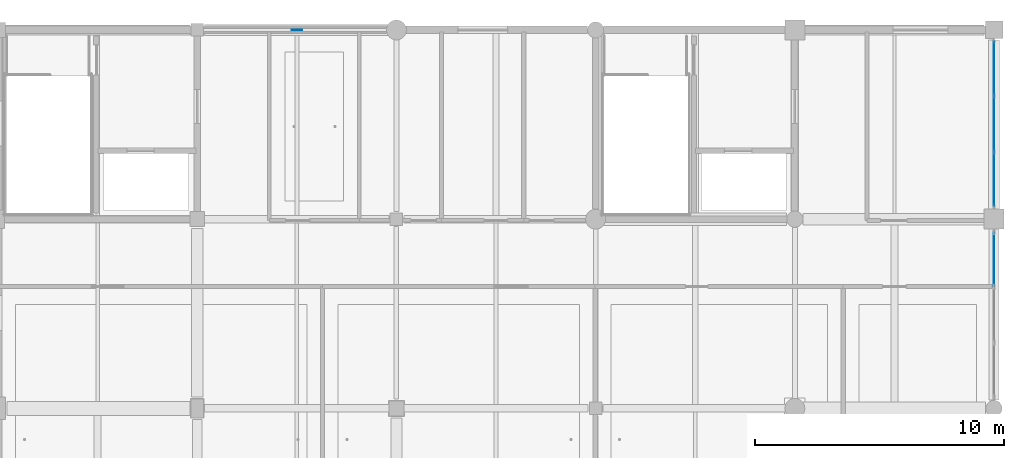
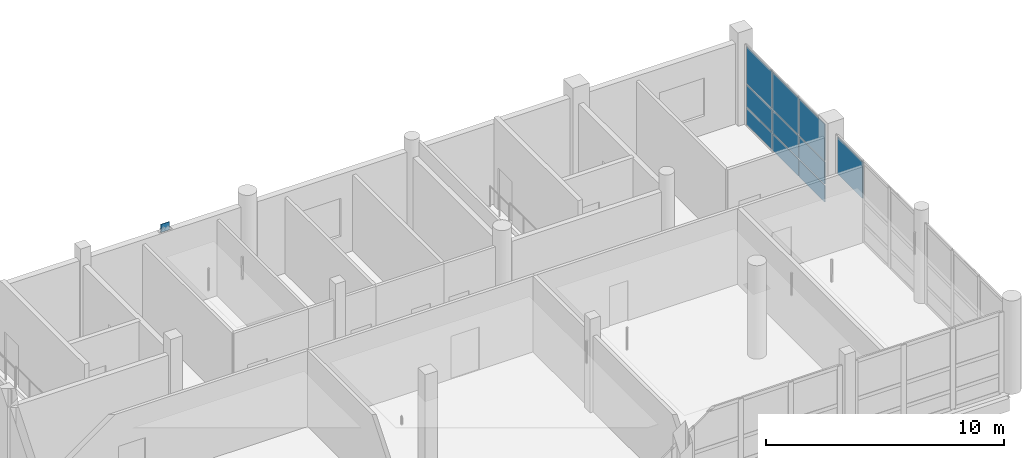
# One storey, part 11 of 18: 11 plates, 2 elements without a shape of their own.
"""IFC4 building model written with IfcOpenShell, lengths in metres."""

import ifcopenshell
import ifcopenshell.guid

model = None  # the IFC model being written
_history = None  # IfcOwnerHistory: only IFC2X3 demands one
_inside = {}  # id of a spatial element -> (the spatial element, [elements in it])
_under = {}  # id of a project, library or spatial element -> (it, [spatial elements below it])
_declared = {}  # id of a project -> (the project, [libraries it declares])
_typed = {}  # id of a type object -> (the type object, [elements of that type])
_made_of = {}  # id of a material, layer set ... -> (it, [elements and type objects made of it])


def new_model(schema):
    """Start an empty IFC model of exactly this schema.

    Asked for "IFC4X3", IfcOpenShell would pick the latest addendum, in which some entities
    have other attributes; the version numbers below select the first issue.
    IFC2X3 requires an IfcOwnerHistory on every rooted entity: one is made here for all.
    """
    global model, _history
    if schema == "IFC4X3":
        model = ifcopenshell.file(schema_version=(4, 3, 0, 0))
    else:
        model = ifcopenshell.file(schema=schema)
    _inside.clear()
    _under.clear()
    _declared.clear()
    _typed.clear()
    _made_of.clear()
    _history = None
    if model.schema == "IFC2X3":
        org = make("IfcOrganization", Name="unknown")
        user = make(
            "IfcPersonAndOrganization",
            ThePerson=make("IfcPerson", FamilyName="unknown"),
            TheOrganization=org,
        )
        app = make(
            "IfcApplication",
            ApplicationDeveloper=org,
            Version="unknown",
            ApplicationFullName="unknown",
            ApplicationIdentifier="unknown",
        )
        _history = make(
            "IfcOwnerHistory",
            OwningUser=user,
            OwningApplication=app,
            ChangeAction="ADDED",
            CreationDate=0,
        )
    return model


def make(cls, **values):
    """One entity of the class cls with the attributes given. An attribute that is None is left unset."""
    return model.create_entity(
        cls, **{name: value for name, value in values.items() if value is not None}
    )


def rooted(cls, **values):
    """An entity with a GlobalId (a new one), such as an element, a storey or a relation."""
    return make(cls, GlobalId=ifcopenshell.guid.new(), OwnerHistory=_history, **values)


def si_unit(unit_type, name, prefix=None):
    """IfcSIUnit, for example si_unit("LENGTHUNIT", "METRE", prefix="MILLI")."""
    return make("IfcSIUnit", UnitType=unit_type, Prefix=prefix, Name=name)


def assignment(units):
    """IfcUnitAssignment: the units of a project."""
    return None if units is None else make("IfcUnitAssignment", Units=units)


def point(xyz):
    """IfcCartesianPoint."""
    return None if xyz is None else make("IfcCartesianPoint", Coordinates=xyz)


def direction(xyz):
    """IfcDirection."""
    return None if xyz is None else make("IfcDirection", DirectionRatios=xyz)


def frame(location, z_axis=None, x_axis=None):
    """IfcAxis2Placement3D, a coordinate frame: its origin and axes. An axis left out is left unset."""
    return make(
        "IfcAxis2Placement3D",
        Location=point(location),
        Axis=direction(z_axis),
        RefDirection=direction(x_axis),
    )


def frame_2d(location, x_axis=None):
    """IfcAxis2Placement2D, a coordinate frame in the plane: its origin and x axis."""
    return make(
        "IfcAxis2Placement2D", Location=point(location), RefDirection=direction(x_axis)
    )


def origin():
    """The frame at (0, 0, 0) with its axes left unset."""
    return frame((0.0, 0.0, 0.0))


def origin_2d():
    """The frame at (0, 0) in the plane with its x axis left unset."""
    return frame_2d((0.0, 0.0))


def place(relative_to, where):
    """IfcLocalPlacement: puts the frame where relative to a parent placement (None: the world)."""
    return make(
        "IfcLocalPlacement", PlacementRelTo=relative_to, RelativePlacement=where
    )


def context(
    kind, dimensions, precision=None, world=None, true_north=None, identifier=None
):
    """IfcGeometricRepresentationContext, for example the 3D "Model" context."""
    return make(
        "IfcGeometricRepresentationContext",
        ContextIdentifier=identifier,
        ContextType=kind,
        CoordinateSpaceDimension=dimensions,
        Precision=precision,
        WorldCoordinateSystem=world,
        TrueNorth=true_north,
    )


def subcontext(parent, identifier, kind, view, scale=None):
    """IfcGeometricRepresentationSubContext, for example "Body" below "Model"."""
    return make(
        "IfcGeometricRepresentationSubContext",
        ContextIdentifier=identifier,
        ContextType=kind,
        ParentContext=parent,
        TargetScale=scale,
        TargetView=view,
    )


def project(units=None, contexts=None):
    """IfcProject with its units and contexts."""
    return rooted(
        "IfcProject",
        Name="project",
        RepresentationContexts=contexts,
        UnitsInContext=assignment(units),
    )


def spatial(cls, under=None, at=None, **own):
    """A site, building, storey or space (cls), placed at a placement, below another one or the project."""
    s = rooted(cls, ObjectPlacement=at, **own)
    if under is not None:
        _under.setdefault(under.id(), (under, []))[1].append(s)
    return s


def profile(cls, at=None, kind="AREA", **sizes):
    """A parametric profile (cls). Its sizes go by their IFC names, for example OverallWidth=200.0."""
    return make(cls, ProfileType=kind, Position=at, **sizes)


def rectangle(**sizes):
    """IfcRectangleProfileDef."""
    return profile("IfcRectangleProfileDef", **sizes)


def extrude(swept, where, along, depth):
    """IfcExtrudedAreaSolid: the profile swept, set in the frame where, extruded along a direction by depth."""
    return make(
        "IfcExtrudedAreaSolid",
        SweptArea=swept,
        Position=where,
        ExtrudedDirection=direction(along),
        Depth=depth,
    )


def shape(context_of_items, identifier, shape_type, items):
    """IfcShapeRepresentation: the items that make up one representation, for example the "Body"."""
    return make(
        "IfcShapeRepresentation",
        ContextOfItems=context_of_items,
        RepresentationIdentifier=identifier,
        RepresentationType=shape_type,
        Items=items,
    )


def material(Name=None, Category=None):
    """IfcMaterial."""
    return make("IfcMaterial", Name=Name, Category=Category)


def layer(
    of_material, thickness, ventilated=None, Name=None, Category=None, Priority=None
):
    """IfcMaterialLayer: one layer of a wall or slab, of a material (None: an air gap)."""
    return make(
        "IfcMaterialLayer",
        Material=of_material,
        LayerThickness=thickness,
        IsVentilated=ventilated,
        Name=Name,
        Category=Category,
        Priority=Priority,
    )


def layer_set(layers, Name=None):
    """IfcMaterialLayerSet."""
    return make("IfcMaterialLayerSet", MaterialLayers=layers, LayerSetName=Name)


def made_of(thing, what):
    """Note that an element or type object is made of a material, layer set ...; save() writes the relation."""
    if what is not None:
        _made_of.setdefault(what.id(), (what, []))[1].append(thing)
    return thing


def type_object(cls, material=None, **own):
    """A type object (cls), such as IfcWallType, which elements share."""
    return made_of(rooted(cls, **own), material)


def element(
    cls,
    number,
    at=None,
    inside=None,
    cuts=None,
    type_object=None,
    material=None,
    context=None,
    identifier="Body",
    shape_type=None,
    held_by="IfcProductDefinitionShape",
    body=None,
    shapes=None,
    **own,
):
    """One element of the class cls, such as IfcWall. Its Tag is "e" and its number.

    at: its placement. inside: the storey or other place that contains it. cuts: it is an
    opening in that element (IfcRelVoidsElement). A single representation is given by context,
    identifier, shape_type and body (its items); several are given by shapes. held_by: the class
    of the entity that holds the representations. save() writes the other relations.
    """
    e = rooted(cls, Tag="e%d" % number, ObjectPlacement=at, **own)
    if body is not None:
        shapes = [shape(context, identifier, shape_type, body)]
    if shapes is not None:
        e.Representation = make(held_by, Representations=shapes)
    if inside is not None:
        _inside.setdefault(inside.id(), (inside, []))[1].append(e)
    if cuts is not None:
        rooted(
            "IfcRelVoidsElement", RelatingBuildingElement=cuts, RelatedOpeningElement=e
        )
    if type_object is not None:
        _typed.setdefault(type_object.id(), (type_object, []))[1].append(e)
    return made_of(e, material)


def aggregate(whole, parts):
    """IfcRelAggregates: a whole, such as a stair, and the parts it consists of."""
    return rooted("IfcRelAggregates", RelatingObject=whole, RelatedObjects=parts)


def save(model, path):
    """Write the relations noted so far, then the file.

    IfcRelAggregates (storeys below a building ...), IfcRelContainedInSpatialStructure (elements
    in a storey), IfcRelDefinesByType, IfcRelAssociatesMaterial and IfcRelDeclares: one each for
    every whole, place, type object, material and project.
    """
    for whole, parts in _under.values():
        aggregate(whole, parts)
    for where, things in _inside.values():
        rooted(
            "IfcRelContainedInSpatialStructure",
            RelatedElements=things,
            RelatingStructure=where,
        )
    for kind, things in _typed.values():
        rooted("IfcRelDefinesByType", RelatedObjects=things, RelatingType=kind)
    for what, things in _made_of.values():
        rooted("IfcRelAssociatesMaterial", RelatedObjects=things, RelatingMaterial=what)
    for by, libraries in _declared.values():
        rooted("IfcRelDeclares", RelatingContext=by, RelatedDefinitions=libraries)
    model.write(path)


model = new_model("IFC4")

# Units and contexts
model_context = context("Model", 3, precision=1e-05, world=origin(), true_north=direction((0.0, 1.0)))
body_context = subcontext(model_context, "Body", "Model", "MODEL_VIEW")
ifc_project = project(units=[si_unit("LENGTHUNIT", "METRE"), si_unit("AREAUNIT", "SQUARE_METRE"), si_unit("VOLUMEUNIT", "CUBIC_METRE"), si_unit("PLANEANGLEUNIT", "RADIAN"), si_unit("MASSUNIT", "GRAM", prefix="KILO")], contexts=[model_context])

# Site, building, storey
site_placement = place(None, origin())
site = spatial("IfcSite", under=ifc_project, at=site_placement, CompositionType="ELEMENT")
building_placement = place(site_placement, origin())
building = spatial("IfcBuilding", under=site, at=building_placement, Name="Khelvaren Railside Concert Hall", CompositionType="ELEMENT")
storey_placement = place(building_placement, frame((0.0, 0.0, 24.60009765625)))
storey = spatial("IfcBuildingStorey", under=building, at=storey_placement, Name="L05", CompositionType="ELEMENT", Elevation=24.60009765625)

# Curtain wall, plate
ifc_material_1 = material(Name="Triple-glazed solar-control glass", Category="glass")
curtain_wall_type_1 = type_object("IfcCurtainWallType", Name="CW88", PredefinedType="USERDEFINED", material=ifc_material_1)
curtain_wall_1_placement = place(storey_placement, origin())
curtain_wall_1 = element("IfcCurtainWall", 1, at=curtain_wall_1_placement, inside=storey, type_object=curtain_wall_type_1, Name="Unitised Curtain Wall CW-V5-L05-E-99", ObjectType="UNITISED CURTAIN WALL", PredefinedType="USERDEFINED")
ifc_layer_1 = layer(ifc_material_1, 0.035888671875)
ifc_layer_set_1 = layer_set([ifc_layer_1], Name="Triple-glazed solar-control glass")
plate_type_1 = type_object("IfcPlateType", Name="CWP53", PredefinedType="CURTAIN_PANEL", material=ifc_layer_set_1)
plate_1_placement = place(storey_placement, frame((184.0, 104.787109375, 2.18994140625), z_axis=(0.0, 0.0, 1.0), x_axis=(0.0, -1.0, 0.0)))
plate_1 = element("IfcPlate", 2, at=plate_1_placement, type_object=plate_type_1, Name="CW88 panel 1.3", PredefinedType="CURTAIN_PANEL", context=body_context, shape_type="SweptSolid", body=[
    extrude(rectangle(XDim=2.130859375, YDim=0.035888671875, at=origin_2d()), origin(), (0.0, 0.0, 1.0), 1.874755859375),
])
aggregate(curtain_wall_1, [plate_1])

# Curtain wall, plates
ifc_material_2 = material(Name="Double-glazed low-E dark acoustic glass", Category="glass")
curtain_wall_type_2 = type_object("IfcCurtainWallType", Name="CW65", PredefinedType="USERDEFINED", material=ifc_material_2)
curtain_wall_2_placement = place(storey_placement, origin())
curtain_wall_2 = element("IfcCurtainWall", 3, at=curtain_wall_2_placement, inside=storey, type_object=curtain_wall_type_2, Name="Unitised Curtain Wall CW-V5-L05-E-106", ObjectType="UNITISED CURTAIN WALL", PredefinedType="USERDEFINED")
ifc_layer_2 = layer(ifc_material_2, 0.031982421875)
ifc_layer_set_2 = layer_set([ifc_layer_2], Name="Double-glazed low-E dark acoustic glass")
plate_type_2 = type_object("IfcPlateType", Name="CWP84", PredefinedType="CURTAIN_PANEL", material=ifc_layer_set_2)
plate_2_placement = place(storey_placement, frame((184.0, 112.447021484375, 0.06494140625), z_axis=(0.0, 0.0, 1.0), x_axis=(0.0, -1.0, 0.0)))
plate_2 = element("IfcPlate", 4, at=plate_2_placement, type_object=plate_type_2, Name="CW65 panel 1.1", PredefinedType="CURTAIN_PANEL", context=body_context, shape_type="SweptSolid", body=[
    extrude(rectangle(XDim=2.140869140625, YDim=0.031982421875, at=origin_2d()), origin(), (0.0, 0.0, 1.0), 0.8525390625),
])
plate_3_placement = place(storey_placement, frame((184.0, 112.447021484375, 0.982421875), z_axis=(0.0, 0.0, 1.0), x_axis=(0.0, -1.0, 0.0)))
plate_3 = element("IfcPlate", 5, at=plate_3_placement, type_object=plate_type_2, Name="CW65 panel 1.2", PredefinedType="CURTAIN_PANEL", context=body_context, shape_type="SweptSolid", body=[
    extrude(rectangle(XDim=2.140869140625, YDim=0.031982421875, at=origin_2d()), origin(), (0.0, 0.0, 1.0), 1.1376953125),
])
plate_4_placement = place(storey_placement, frame((184.0, 112.447021484375, 2.185302734375), z_axis=(0.0, 0.0, 1.0), x_axis=(0.0, -1.0, 0.0)))
plate_4 = element("IfcPlate", 6, at=plate_4_placement, type_object=plate_type_2, Name="CW65 panel 1.3", PredefinedType="CURTAIN_PANEL", context=body_context, shape_type="SweptSolid", body=[
    extrude(rectangle(XDim=2.140869140625, YDim=0.031982421875, at=origin_2d()), origin(), (0.0, 0.0, 1.0), 1.8896484375),
])
plate_5_placement = place(storey_placement, frame((184.0, 110.22509765625, 0.06494140625), z_axis=(0.0, 0.0, 1.0), x_axis=(0.0, -1.0, 0.0)))
plate_5 = element("IfcPlate", 7, at=plate_5_placement, type_object=plate_type_2, Name="CW65 panel 2.1", PredefinedType="CURTAIN_PANEL", context=body_context, shape_type="SweptSolid", body=[
    extrude(rectangle(XDim=2.17333984375, YDim=0.031982421875, at=origin_2d()), origin(), (0.0, 0.0, 1.0), 0.8525390625),
])
plate_6_placement = place(storey_placement, frame((184.0, 110.22509765625, 0.982421875), z_axis=(0.0, 0.0, 1.0), x_axis=(0.0, -1.0, 0.0)))
plate_6 = element("IfcPlate", 8, at=plate_6_placement, type_object=plate_type_2, Name="CW65 panel 2.2", PredefinedType="CURTAIN_PANEL", context=body_context, shape_type="SweptSolid", body=[
    extrude(rectangle(XDim=2.17333984375, YDim=0.031982421875, at=origin_2d()), origin(), (0.0, 0.0, 1.0), 1.1376953125),
])
plate_7_placement = place(storey_placement, frame((184.0, 110.22509765625, 2.185302734375), z_axis=(0.0, 0.0, 1.0), x_axis=(0.0, -1.0, 0.0)))
plate_7 = element("IfcPlate", 9, at=plate_7_placement, type_object=plate_type_2, Name="CW65 panel 2.3", PredefinedType="CURTAIN_PANEL", context=body_context, shape_type="SweptSolid", body=[
    extrude(rectangle(XDim=2.17333984375, YDim=0.031982421875, at=origin_2d()), origin(), (0.0, 0.0, 1.0), 1.8896484375),
])
plate_8_placement = place(storey_placement, frame((184.0, 108.0029296875, 0.06494140625), z_axis=(0.0, 0.0, 1.0), x_axis=(0.0, -1.0, 0.0)))
plate_8 = element("IfcPlate", 10, at=plate_8_placement, type_object=plate_type_2, Name="CW65 panel 3.1", PredefinedType="CURTAIN_PANEL", context=body_context, shape_type="SweptSolid", body=[
    extrude(rectangle(XDim=2.140869140625, YDim=0.031982421875, at=origin_2d()), origin(), (0.0, 0.0, 1.0), 0.8525390625),
])
plate_9_placement = place(storey_placement, frame((184.0, 108.0029296875, 0.982421875), z_axis=(0.0, 0.0, 1.0), x_axis=(0.0, -1.0, 0.0)))
plate_9 = element("IfcPlate", 11, at=plate_9_placement, type_object=plate_type_2, Name="CW65 panel 3.2", PredefinedType="CURTAIN_PANEL", context=body_context, shape_type="SweptSolid", body=[
    extrude(rectangle(XDim=2.140869140625, YDim=0.031982421875, at=origin_2d()), origin(), (0.0, 0.0, 1.0), 1.1376953125),
])
plate_10_placement = place(storey_placement, frame((184.0, 108.0029296875, 2.185302734375), z_axis=(0.0, 0.0, 1.0), x_axis=(0.0, -1.0, 0.0)))
plate_10 = element("IfcPlate", 12, at=plate_10_placement, type_object=plate_type_2, Name="CW65 panel 3.3", PredefinedType="CURTAIN_PANEL", context=body_context, shape_type="SweptSolid", body=[
    extrude(rectangle(XDim=2.140869140625, YDim=0.031982421875, at=origin_2d()), origin(), (0.0, 0.0, 1.0), 1.8896484375),
])
aggregate(curtain_wall_2, [plate_2, plate_3, plate_4, plate_5, plate_6, plate_7, plate_8, plate_9, plate_10])

# Plate
ifc_material_3 = material(Name="Steel S355", Category="steel")
ifc_layer_3 = layer(ifc_material_3, 0.02197265625)
ifc_layer_set_3 = layer_set([ifc_layer_3], Name="Steel S355")
plate_type_3 = type_object("IfcPlateType", Name="STP73", PredefinedType="USERDEFINED", material=ifc_layer_set_3)
plate_11_placement = place(storey_placement, frame((156.0, 114.0, 4.08984375), z_axis=(0.0, 0.0, 1.0), x_axis=(1.0, 0.0, 0.0)))
element("IfcPlate", 13, at=plate_11_placement, inside=storey, type_object=plate_type_3, Name="V5 L05 Brace Apex Stiffener Plate 68", ObjectType="STIFFENER PLATE", PredefinedType="USERDEFINED", context=body_context, shape_type="SweptSolid", body=[
    extrude(rectangle(XDim=0.419921875, YDim=0.02197265625, at=origin_2d()), origin(), (0.0, 0.0, 1.0), 0.419921875),
])

save(model, "model.ifc")
